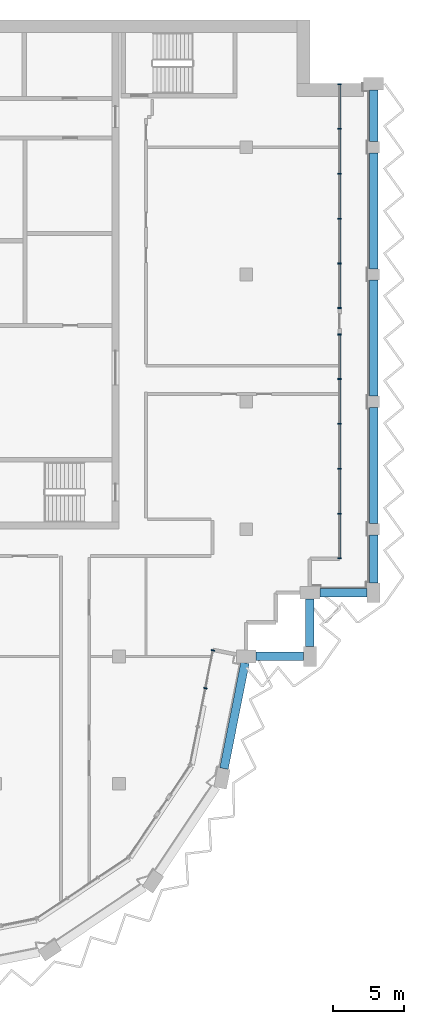
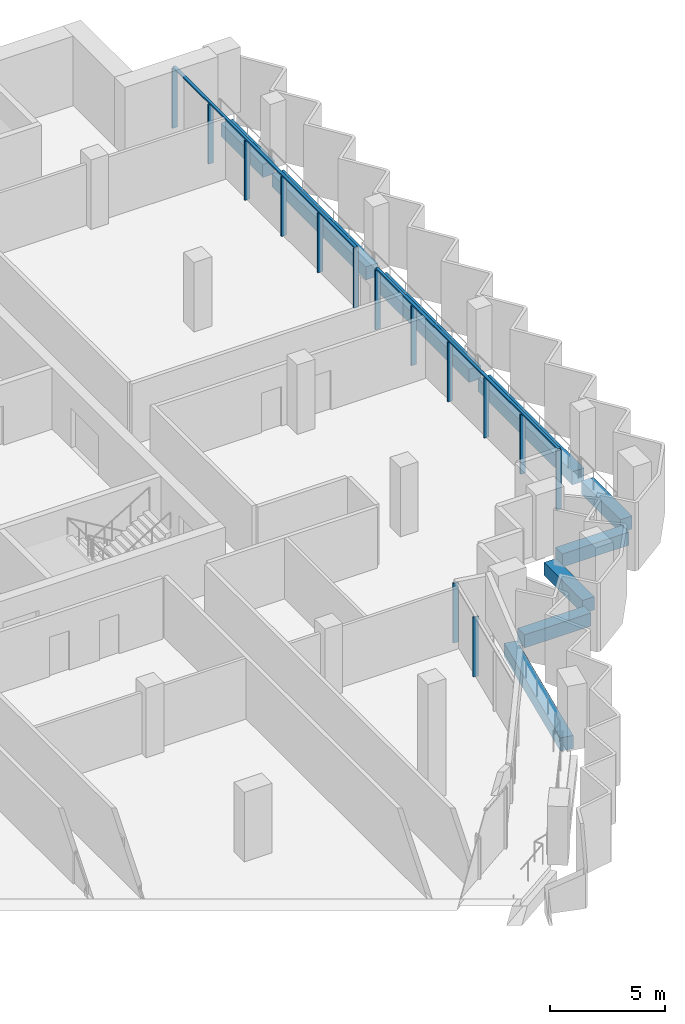
# One storey, part 3 of 13: 16 members, 9 beams, 3 elements without a shape of their own.
"""IFC4 building model written with IfcOpenShell, lengths in metres."""

import ifcopenshell
import ifcopenshell.guid

model = None  # the IFC model being written
_history = None  # IfcOwnerHistory: only IFC2X3 demands one
_inside = {}  # id of a spatial element -> (the spatial element, [elements in it])
_under = {}  # id of a project, library or spatial element -> (it, [spatial elements below it])
_declared = {}  # id of a project -> (the project, [libraries it declares])
_typed = {}  # id of a type object -> (the type object, [elements of that type])
_made_of = {}  # id of a material, layer set ... -> (it, [elements and type objects made of it])


def new_model(schema):
    """Start an empty IFC model of exactly this schema.

    Asked for "IFC4X3", IfcOpenShell would pick the latest addendum, in which some entities
    have other attributes; the version numbers below select the first issue.
    IFC2X3 requires an IfcOwnerHistory on every rooted entity: one is made here for all.
    """
    global model, _history
    if schema == "IFC4X3":
        model = ifcopenshell.file(schema_version=(4, 3, 0, 0))
    else:
        model = ifcopenshell.file(schema=schema)
    _inside.clear()
    _under.clear()
    _declared.clear()
    _typed.clear()
    _made_of.clear()
    _history = None
    if model.schema == "IFC2X3":
        org = make("IfcOrganization", Name="unknown")
        user = make(
            "IfcPersonAndOrganization",
            ThePerson=make("IfcPerson", FamilyName="unknown"),
            TheOrganization=org,
        )
        app = make(
            "IfcApplication",
            ApplicationDeveloper=org,
            Version="unknown",
            ApplicationFullName="unknown",
            ApplicationIdentifier="unknown",
        )
        _history = make(
            "IfcOwnerHistory",
            OwningUser=user,
            OwningApplication=app,
            ChangeAction="ADDED",
            CreationDate=0,
        )
    return model


def make(cls, **values):
    """One entity of the class cls with the attributes given. An attribute that is None is left unset."""
    return model.create_entity(
        cls, **{name: value for name, value in values.items() if value is not None}
    )


def rooted(cls, **values):
    """An entity with a GlobalId (a new one), such as an element, a storey or a relation."""
    return make(cls, GlobalId=ifcopenshell.guid.new(), OwnerHistory=_history, **values)


def si_unit(unit_type, name, prefix=None):
    """IfcSIUnit, for example si_unit("LENGTHUNIT", "METRE", prefix="MILLI")."""
    return make("IfcSIUnit", UnitType=unit_type, Prefix=prefix, Name=name)


def assignment(units):
    """IfcUnitAssignment: the units of a project."""
    return None if units is None else make("IfcUnitAssignment", Units=units)


def point(xyz):
    """IfcCartesianPoint."""
    return None if xyz is None else make("IfcCartesianPoint", Coordinates=xyz)


def direction(xyz):
    """IfcDirection."""
    return None if xyz is None else make("IfcDirection", DirectionRatios=xyz)


def frame(location, z_axis=None, x_axis=None):
    """IfcAxis2Placement3D, a coordinate frame: its origin and axes. An axis left out is left unset."""
    return make(
        "IfcAxis2Placement3D",
        Location=point(location),
        Axis=direction(z_axis),
        RefDirection=direction(x_axis),
    )


def frame_2d(location, x_axis=None):
    """IfcAxis2Placement2D, a coordinate frame in the plane: its origin and x axis."""
    return make(
        "IfcAxis2Placement2D", Location=point(location), RefDirection=direction(x_axis)
    )


def origin():
    """The frame at (0, 0, 0) with its axes left unset."""
    return frame((0.0, 0.0, 0.0))


def origin_2d():
    """The frame at (0, 0) in the plane with its x axis left unset."""
    return frame_2d((0.0, 0.0))


def place(relative_to, where):
    """IfcLocalPlacement: puts the frame where relative to a parent placement (None: the world)."""
    return make(
        "IfcLocalPlacement", PlacementRelTo=relative_to, RelativePlacement=where
    )


def context(
    kind, dimensions, precision=None, world=None, true_north=None, identifier=None
):
    """IfcGeometricRepresentationContext, for example the 3D "Model" context."""
    return make(
        "IfcGeometricRepresentationContext",
        ContextIdentifier=identifier,
        ContextType=kind,
        CoordinateSpaceDimension=dimensions,
        Precision=precision,
        WorldCoordinateSystem=world,
        TrueNorth=true_north,
    )


def subcontext(parent, identifier, kind, view, scale=None):
    """IfcGeometricRepresentationSubContext, for example "Body" below "Model"."""
    return make(
        "IfcGeometricRepresentationSubContext",
        ContextIdentifier=identifier,
        ContextType=kind,
        ParentContext=parent,
        TargetScale=scale,
        TargetView=view,
    )


def project(units=None, contexts=None):
    """IfcProject with its units and contexts."""
    return rooted(
        "IfcProject",
        Name="project",
        RepresentationContexts=contexts,
        UnitsInContext=assignment(units),
    )


def spatial(cls, under=None, at=None, **own):
    """A site, building, storey or space (cls), placed at a placement, below another one or the project."""
    s = rooted(cls, ObjectPlacement=at, **own)
    if under is not None:
        _under.setdefault(under.id(), (under, []))[1].append(s)
    return s


def profile(cls, at=None, kind="AREA", **sizes):
    """A parametric profile (cls). Its sizes go by their IFC names, for example OverallWidth=200.0."""
    return make(cls, ProfileType=kind, Position=at, **sizes)


def rectangle(**sizes):
    """IfcRectangleProfileDef."""
    return profile("IfcRectangleProfileDef", **sizes)


def extrude(swept, where, along, depth):
    """IfcExtrudedAreaSolid: the profile swept, set in the frame where, extruded along a direction by depth."""
    return make(
        "IfcExtrudedAreaSolid",
        SweptArea=swept,
        Position=where,
        ExtrudedDirection=direction(along),
        Depth=depth,
    )


def shape(context_of_items, identifier, shape_type, items):
    """IfcShapeRepresentation: the items that make up one representation, for example the "Body"."""
    return make(
        "IfcShapeRepresentation",
        ContextOfItems=context_of_items,
        RepresentationIdentifier=identifier,
        RepresentationType=shape_type,
        Items=items,
    )


def material(Name=None, Category=None):
    """IfcMaterial."""
    return make("IfcMaterial", Name=Name, Category=Category)


def material_profile(
    of_material, cross_section, Name=None, Category=None, Priority=None
):
    """IfcMaterialProfile: a cross section and its material."""
    return make(
        "IfcMaterialProfile",
        Name=Name,
        Material=of_material,
        Profile=cross_section,
        Priority=Priority,
        Category=Category,
    )


def profile_set(profiles, Name=None, composite=None):
    """IfcMaterialProfileSet."""
    return make(
        "IfcMaterialProfileSet",
        Name=Name,
        MaterialProfiles=profiles,
        CompositeProfile=composite,
    )


def made_of(thing, what):
    """Note that an element or type object is made of a material, layer set ...; save() writes the relation."""
    if what is not None:
        _made_of.setdefault(what.id(), (what, []))[1].append(thing)
    return thing


def type_object(cls, material=None, **own):
    """A type object (cls), such as IfcWallType, which elements share."""
    return made_of(rooted(cls, **own), material)


def element(
    cls,
    number,
    at=None,
    inside=None,
    cuts=None,
    type_object=None,
    material=None,
    context=None,
    identifier="Body",
    shape_type=None,
    held_by="IfcProductDefinitionShape",
    body=None,
    shapes=None,
    **own,
):
    """One element of the class cls, such as IfcWall. Its Tag is "e" and its number.

    at: its placement. inside: the storey or other place that contains it. cuts: it is an
    opening in that element (IfcRelVoidsElement). A single representation is given by context,
    identifier, shape_type and body (its items); several are given by shapes. held_by: the class
    of the entity that holds the representations. save() writes the other relations.
    """
    e = rooted(cls, Tag="e%d" % number, ObjectPlacement=at, **own)
    if body is not None:
        shapes = [shape(context, identifier, shape_type, body)]
    if shapes is not None:
        e.Representation = make(held_by, Representations=shapes)
    if inside is not None:
        _inside.setdefault(inside.id(), (inside, []))[1].append(e)
    if cuts is not None:
        rooted(
            "IfcRelVoidsElement", RelatingBuildingElement=cuts, RelatedOpeningElement=e
        )
    if type_object is not None:
        _typed.setdefault(type_object.id(), (type_object, []))[1].append(e)
    return made_of(e, material)


def aggregate(whole, parts):
    """IfcRelAggregates: a whole, such as a stair, and the parts it consists of."""
    return rooted("IfcRelAggregates", RelatingObject=whole, RelatedObjects=parts)


def save(model, path):
    """Write the relations noted so far, then the file.

    IfcRelAggregates (storeys below a building ...), IfcRelContainedInSpatialStructure (elements
    in a storey), IfcRelDefinesByType, IfcRelAssociatesMaterial and IfcRelDeclares: one each for
    every whole, place, type object, material and project.
    """
    for whole, parts in _under.values():
        aggregate(whole, parts)
    for where, things in _inside.values():
        rooted(
            "IfcRelContainedInSpatialStructure",
            RelatedElements=things,
            RelatingStructure=where,
        )
    for kind, things in _typed.values():
        rooted("IfcRelDefinesByType", RelatedObjects=things, RelatingType=kind)
    for what, things in _made_of.values():
        rooted("IfcRelAssociatesMaterial", RelatedObjects=things, RelatingMaterial=what)
    for by, libraries in _declared.values():
        rooted("IfcRelDeclares", RelatingContext=by, RelatedDefinitions=libraries)
    model.write(path)


model = new_model("IFC4")

# Units and contexts
model_context = context("Model", 3, precision=1e-05, world=origin(), true_north=direction((0.0, 1.0)))
body_context = subcontext(model_context, "Body", "Model", "MODEL_VIEW")
ifc_project = project(units=[si_unit("LENGTHUNIT", "METRE"), si_unit("AREAUNIT", "SQUARE_METRE"), si_unit("VOLUMEUNIT", "CUBIC_METRE"), si_unit("PLANEANGLEUNIT", "RADIAN"), si_unit("MASSUNIT", "GRAM", prefix="KILO")], contexts=[model_context])

# Site, building, storey
site_placement = place(None, origin())
site = spatial("IfcSite", under=ifc_project, at=site_placement, CompositionType="ELEMENT")
building_placement = place(site_placement, origin())
building = spatial("IfcBuilding", under=site, at=building_placement, Name="Hunhe Ridgeline Campus", CompositionType="ELEMENT")
storey_placement = place(building_placement, frame((0.0, 0.0, 299.300048828125)))
storey = spatial("IfcBuildingStorey", under=building, at=storey_placement, Name="L77", CompositionType="ELEMENT", Elevation=299.300048828125)

# Curtain wall, members
ifc_material_1 = material(Name="Aluminium 6063", Category="aluminium")
curtain_wall_type = type_object("IfcCurtainWallType", Name="Curtain wall CW-4", PredefinedType="NOTDEFINED", material=ifc_material_1)
curtain_wall_1_placement = place(storey_placement, origin())
curtain_wall_1 = element("IfcCurtainWall", 1, at=curtain_wall_1_placement, inside=storey, type_object=curtain_wall_type, Name="Curtain wall 12", PredefinedType="NOTDEFINED")
ifc_material_profile_1 = material_profile(ifc_material_1, rectangle(XDim=0.25, YDim=0.080078125, at=origin_2d()))
ifc_profile_set_1 = profile_set([ifc_material_profile_1], Name="Aluminium 6063")
member_type_1 = type_object("IfcMemberType", Name="CW-4 aluminium mullion", PredefinedType="MULLION", material=ifc_profile_set_1)
member_1_placement = place(storey_placement, frame((42.10546875, 51.754638671875, 0.0), z_axis=(0.0, 0.0, 1.0), x_axis=(-0.980782515828, 0.19510421996, 0.0)))
member_1 = element("IfcMember", 2, at=member_1_placement, type_object=member_type_1, Name="CW-4 mullion 3", PredefinedType="MULLION", context=body_context, shape_type="SweptSolid", body=[
    extrude(rectangle(XDim=0.25, YDim=0.080078125, at=origin_2d()), origin(), (0.0, 0.0, 1.0), 3.169921875),
])
member_2_placement = place(storey_placement, frame((42.637451171875, 54.4296875, 0.0), z_axis=(0.0, 0.0, 1.0), x_axis=(-0.980782515828, 0.19510421996, 0.0)))
member_2 = element("IfcMember", 3, at=member_2_placement, type_object=member_type_1, Name="CW-4 mullion 4", PredefinedType="MULLION", context=body_context, shape_type="SweptSolid", body=[
    extrude(rectangle(XDim=0.25, YDim=0.080078125, at=origin_2d()), origin(), (0.0, 0.0, 1.0), 3.169921875),
])
aggregate(curtain_wall_1, [member_1, member_2])

curtain_wall_2_placement = place(storey_placement, origin())
curtain_wall_2 = element("IfcCurtainWall", 4, at=curtain_wall_2_placement, inside=storey, type_object=curtain_wall_type, Name="Curtain wall 13", PredefinedType="NOTDEFINED")
member_3_placement = place(storey_placement, frame((51.59912109375, 60.94091796875, 0.0), z_axis=(0.0, 0.0, 1.0), x_axis=(-1.0, 0.0, 0.0)))
member_3 = element("IfcMember", 5, at=member_3_placement, type_object=member_type_1, Name="CW-4 mullion 1", PredefinedType="MULLION", context=body_context, shape_type="SweptSolid", body=[
    extrude(rectangle(XDim=0.25, YDim=0.080078125, at=origin_2d()), origin(), (0.0, 0.0, 1.0), 3.169921875),
])
member_4_placement = place(storey_placement, frame((51.59912109375, 64.080810546875, 0.0), z_axis=(0.0, 0.0, 1.0), x_axis=(-1.0, 0.0, 0.0)))
member_4 = element("IfcMember", 6, at=member_4_placement, type_object=member_type_1, Name="CW-4 mullion 2", PredefinedType="MULLION", context=body_context, shape_type="SweptSolid", body=[
    extrude(rectangle(XDim=0.25, YDim=0.080078125, at=origin_2d()), origin(), (0.0, 0.0, 1.0), 3.169921875),
])
member_5_placement = place(storey_placement, frame((51.59912109375, 67.2607421875, 0.0), z_axis=(0.0, 0.0, 1.0), x_axis=(-1.0, 0.0, 0.0)))
member_5 = element("IfcMember", 7, at=member_5_placement, type_object=member_type_1, Name="CW-4 mullion 3", PredefinedType="MULLION", context=body_context, shape_type="SweptSolid", body=[
    extrude(rectangle(XDim=0.25, YDim=0.080078125, at=origin_2d()), origin(), (0.0, 0.0, 1.0), 3.169921875),
])
member_6_placement = place(storey_placement, frame((51.59912109375, 70.440673828125, 0.0), z_axis=(0.0, 0.0, 1.0), x_axis=(-1.0, 0.0, 0.0)))
member_6 = element("IfcMember", 8, at=member_6_placement, type_object=member_type_1, Name="CW-4 mullion 4", PredefinedType="MULLION", context=body_context, shape_type="SweptSolid", body=[
    extrude(rectangle(XDim=0.25, YDim=0.080078125, at=origin_2d()), origin(), (0.0, 0.0, 1.0), 3.169921875),
])
member_7_placement = place(storey_placement, frame((51.59912109375, 73.62060546875, 0.0), z_axis=(0.0, 0.0, 1.0), x_axis=(-1.0, 0.0, 0.0)))
member_7 = element("IfcMember", 9, at=member_7_placement, type_object=member_type_1, Name="CW-4 mullion 5", PredefinedType="MULLION", context=body_context, shape_type="SweptSolid", body=[
    extrude(rectangle(XDim=0.25, YDim=0.080078125, at=origin_2d()), origin(), (0.0, 0.0, 1.0), 3.169921875),
])
member_8_placement = place(storey_placement, frame((51.59912109375, 76.760498046875, 0.0), z_axis=(0.0, 0.0, 1.0), x_axis=(-1.0, 0.0, 0.0)))
member_8 = element("IfcMember", 10, at=member_8_placement, type_object=member_type_1, Name="CW-4 mullion 6", PredefinedType="MULLION", context=body_context, shape_type="SweptSolid", body=[
    extrude(rectangle(XDim=0.25, YDim=0.080078125, at=origin_2d()), origin(), (0.0, 0.0, 1.0), 3.169921875),
])

curtain_wall_3_placement = place(storey_placement, origin())
curtain_wall_3 = element("IfcCurtainWall", 11, at=curtain_wall_3_placement, inside=storey, type_object=curtain_wall_type, Name="Curtain wall 14", PredefinedType="NOTDEFINED")
member_9_placement = place(storey_placement, frame((51.59912109375, 78.640380859375, 0.0), z_axis=(0.0, 0.0, 1.0), x_axis=(-1.0, 0.0, 0.0)))
member_9 = element("IfcMember", 12, at=member_9_placement, type_object=member_type_1, Name="CW-4 mullion 1", PredefinedType="MULLION", context=body_context, shape_type="SweptSolid", body=[
    extrude(rectangle(XDim=0.25, YDim=0.080078125, at=origin_2d()), origin(), (0.0, 0.0, 1.0), 3.169921875),
])
member_10_placement = place(storey_placement, frame((51.59912109375, 81.780517578125, 0.0), z_axis=(0.0, 0.0, 1.0), x_axis=(-1.0, 0.0, 0.0)))
member_10 = element("IfcMember", 13, at=member_10_placement, type_object=member_type_1, Name="CW-4 mullion 2", PredefinedType="MULLION", context=body_context, shape_type="SweptSolid", body=[
    extrude(rectangle(XDim=0.25, YDim=0.080078125, at=origin_2d()), origin(), (0.0, 0.0, 1.0), 3.169921875),
])
member_11_placement = place(storey_placement, frame((51.59912109375, 84.960205078125, 0.0), z_axis=(0.0, 0.0, 1.0), x_axis=(-1.0, 0.0, 0.0)))
member_11 = element("IfcMember", 14, at=member_11_placement, type_object=member_type_1, Name="CW-4 mullion 3", PredefinedType="MULLION", context=body_context, shape_type="SweptSolid", body=[
    extrude(rectangle(XDim=0.25, YDim=0.080078125, at=origin_2d()), origin(), (0.0, 0.0, 1.0), 3.169921875),
])
member_12_placement = place(storey_placement, frame((51.59912109375, 88.14013671875, 0.0), z_axis=(0.0, 0.0, 1.0), x_axis=(-1.0, 0.0, 0.0)))
member_12 = element("IfcMember", 15, at=member_12_placement, type_object=member_type_1, Name="CW-4 mullion 4", PredefinedType="MULLION", context=body_context, shape_type="SweptSolid", body=[
    extrude(rectangle(XDim=0.25, YDim=0.080078125, at=origin_2d()), origin(), (0.0, 0.0, 1.0), 3.169921875),
])
member_13_placement = place(storey_placement, frame((51.59912109375, 91.320068359375, 0.0), z_axis=(0.0, 0.0, 1.0), x_axis=(-1.0, 0.0, 0.0)))
member_13 = element("IfcMember", 16, at=member_13_placement, type_object=member_type_1, Name="CW-4 mullion 5", PredefinedType="MULLION", context=body_context, shape_type="SweptSolid", body=[
    extrude(rectangle(XDim=0.25, YDim=0.080078125, at=origin_2d()), origin(), (0.0, 0.0, 1.0), 3.169921875),
])
member_14_placement = place(storey_placement, frame((51.59912109375, 94.4599609375, 0.0), z_axis=(0.0, 0.0, 1.0), x_axis=(-1.0, 0.0, 0.0)))
member_14 = element("IfcMember", 17, at=member_14_placement, type_object=member_type_1, Name="CW-4 mullion 6", PredefinedType="MULLION", context=body_context, shape_type="SweptSolid", body=[
    extrude(rectangle(XDim=0.25, YDim=0.080078125, at=origin_2d()), origin(), (0.0, 0.0, 1.0), 3.169921875),
])

# Member
ifc_material_profile_2 = material_profile(ifc_material_1, rectangle(XDim=0.139892578125, YDim=0.080078125, at=origin_2d()))
ifc_profile_set_2 = profile_set([ifc_material_profile_2], Name="Aluminium 6063")
member_type_2 = type_object("IfcMemberType", Name="CW-4 aluminium transom", PredefinedType="USERDEFINED", material=ifc_profile_set_2)
member_15_placement = place(storey_placement, frame((51.59912109375, 60.90087890625, 3.2099609375), z_axis=(0.0, 1.0, 0.0), x_axis=(-1.0, 0.0, 0.0)))
member_15 = element("IfcMember", 18, at=member_15_placement, type_object=member_type_2, Name="CW-4 transom 1", ObjectType="TRANSOM", PredefinedType="USERDEFINED", context=body_context, shape_type="SweptSolid", body=[
    extrude(rectangle(XDim=0.139892578125, YDim=0.080078125, at=origin_2d()), origin(), (0.0, 0.0, 1.0), 15.899658203125),
])

aggregate(curtain_wall_2, [member_15, member_3, member_4, member_5, member_6, member_7, member_8])

member_16_placement = place(storey_placement, frame((51.59912109375, 78.6005859375, 3.2099609375), z_axis=(0.0, 1.0, 0.0), x_axis=(-1.0, 0.0, 0.0)))
member_16 = element("IfcMember", 19, at=member_16_placement, type_object=member_type_2, Name="CW-4 transom 1", ObjectType="TRANSOM", PredefinedType="USERDEFINED", context=body_context, shape_type="SweptSolid", body=[
    extrude(rectangle(XDim=0.139892578125, YDim=0.080078125, at=origin_2d()), origin(), (0.0, 0.0, 1.0), 15.8994140625),
])

aggregate(curtain_wall_3, [member_16, member_9, member_10, member_11, member_12, member_13, member_14])

# Beams
ifc_material_2 = material(Name="Concrete C50", Category="concrete")
ifc_material_profile_3 = material_profile(ifc_material_2, rectangle(XDim=0.60009765625, YDim=0.699951171875, at=origin_2d()))
ifc_profile_set_3 = profile_set([ifc_material_profile_3], Name="Concrete C50")
beam_type = type_object("IfcBeamType", Name="RC spandrel beam 600x700 Concrete C50", PredefinedType="SPANDREL", material=ifc_profile_set_3)
beam_1_placement = place(storey_placement, frame((43.423828125, 46.076171875, -0.60009765625), z_axis=(0.195080943744, 0.980787145811, 0.0), x_axis=(-0.980787145811, 0.195080943744, 0.0)))
element("IfcBeam", 20, at=beam_1_placement, inside=storey, type_object=beam_type, Name="Spandrel beam B4-8 L77", PredefinedType="SPANDREL", context=body_context, shape_type="SweptSolid", body=[
    extrude(rectangle(XDim=0.60009765625, YDim=0.699951171875, at=origin_2d()), origin(), (0.0, 0.0, 1.0), 7.620361328125),
])
for number, where, z_axis, x_axis, name in (
    (21, (45.699951171875, 54.0, -0.60009765625), (1.0, 0.0, 0.0), (0.0, 1.0, 0.0), "Spandrel beam B4-9 L77"),
    (22, (49.5, 54.699951171875, -0.60009765625), (0.0, 1.0, 0.0), (-1.0, 0.0, 0.0), "Spandrel beam B4-10 L77"),
    (23, (50.199951171875, 58.5, -0.60009765625), (1.0, 0.0, 0.0), (0.0, 1.0, 0.0), "Spandrel beam B4-11 L77"),
):
    element("IfcBeam", number, at=place(storey_placement, frame(where, z_axis=z_axis, x_axis=x_axis)), inside=storey, type_object=beam_type, Name=name, PredefinedType="SPANDREL", context=body_context, shape_type="SweptSolid", body=[
        extrude(rectangle(XDim=0.60009765625, YDim=0.699951171875, at=origin_2d()), origin(), (0.0, 0.0, 1.0), 3.35009765625),
    ])
beam_2_placement = place(storey_placement, frame((54.0, 59.199951171875, -0.60009765625), z_axis=(0.0, 1.0, 0.0), x_axis=(-1.0, 0.0, 0.0)))
element("IfcBeam", 24, at=beam_2_placement, inside=storey, type_object=beam_type, Name="Spandrel beam B4-12 L77", PredefinedType="SPANDREL", context=body_context, shape_type="SweptSolid", body=[
    extrude(rectangle(XDim=0.60009765625, YDim=0.699951171875, at=origin_2d()), origin(), (0.0, 0.0, 1.0), 3.400146484375),
])
for number, where, z_axis, x_axis, name in (
    (25, (54.0, 63.39990234375, -0.60009765625), (0.0, 1.0, 0.0), (-1.0, 0.0, 0.0), "Spandrel beam B4-13 L77"),
    (26, (54.0, 72.39990234375, -0.60009765625), (0.0, 1.0, 0.0), (-1.0, 0.0, 0.0), "Spandrel beam B4-14 L77"),
    (27, (54.0, 81.39990234375, -0.60009765625), (0.0, 1.0, 0.0), (-1.0, 0.0, 0.0), "Spandrel beam B4-15 L77"),
):
    element("IfcBeam", number, at=place(storey_placement, frame(where, z_axis=z_axis, x_axis=x_axis)), inside=storey, type_object=beam_type, Name=name, PredefinedType="SPANDREL", context=body_context, shape_type="SweptSolid", body=[
        extrude(rectangle(XDim=0.60009765625, YDim=0.699951171875, at=origin_2d()), origin(), (0.0, 0.0, 1.0), 8.2001953125),
    ])
beam_3_placement = place(storey_placement, frame((54.0, 90.39990234375, -0.60009765625), z_axis=(0.0, 1.0, 0.0), x_axis=(-1.0, 0.0, 0.0)))
element("IfcBeam", 28, at=beam_3_placement, inside=storey, type_object=beam_type, Name="Spandrel beam B4-16 L77", PredefinedType="SPANDREL", context=body_context, shape_type="SweptSolid", body=[
    extrude(rectangle(XDim=0.60009765625, YDim=0.699951171875, at=origin_2d()), origin(), (0.0, 0.0, 1.0), 3.650146484375),
])

save(model, "model.ifc")
